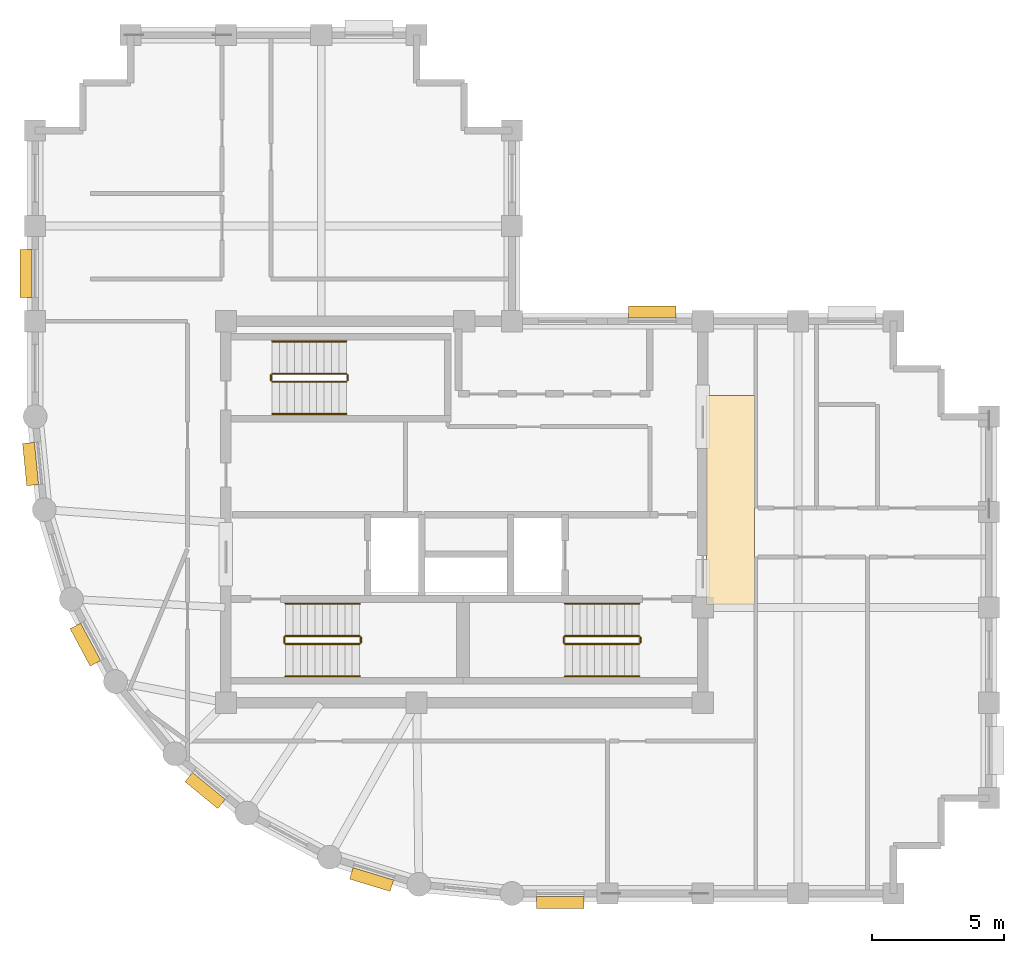
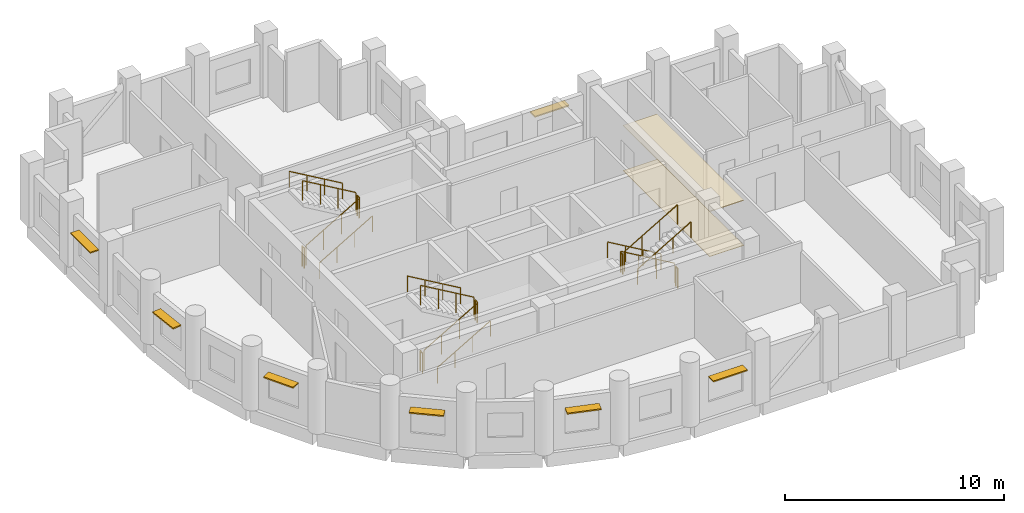
# One storey, part 6 of 7: 18 railings, 7 shading devices, 2 coverings.
"""IFC4 building model written with IfcOpenShell, lengths in metres."""

from ifc_helpers import new_model, si_unit, direction, frame, origin, origin_2d, place, context, subcontext, project, spatial, polyline, rectangle, circle, outline, extrude, material, layer, layer_set, type_object, element, save


model = new_model("IFC4")

# Units and contexts
model_context = context("Model", 3, precision=1e-05, world=origin(), true_north=direction((0.0, 1.0)))
body_context = subcontext(model_context, "Body", "Model", "MODEL_VIEW")
ifc_project = project(units=[si_unit("LENGTHUNIT", "METRE"), si_unit("AREAUNIT", "SQUARE_METRE"), si_unit("VOLUMEUNIT", "CUBIC_METRE"), si_unit("PLANEANGLEUNIT", "RADIAN"), si_unit("MASSUNIT", "GRAM", prefix="KILO")], contexts=[model_context])

# Site, building, storey
site_placement = place(None, origin())
site = spatial("IfcSite", under=ifc_project, at=site_placement, CompositionType="ELEMENT")
building_placement = place(site_placement, origin())
building = spatial("IfcBuilding", under=site, at=building_placement, Name="Solnavia Interchange Tower", CompositionType="ELEMENT")
storey_placement = place(building_placement, frame((0.0, 0.0, 259.39990234375)))
storey = spatial("IfcBuildingStorey", under=building, at=storey_placement, Name="L65", CompositionType="ELEMENT", Elevation=259.39990234375)

# Coverings
ifc_material_1 = material(Name="Perforated Mineral-Fibre & Gypsum Ceiling", Category="gypsum")
ifc_layer_1 = layer(ifc_material_1, 0.0400390625)
ifc_layer_set_1 = layer_set([ifc_layer_1], Name="Perforated Mineral-Fibre & Gypsum Ceiling")
covering_type_1 = type_object("IfcCoveringType", Name="Covering-Ceiling-Acoustic40", PredefinedType="CEILING", material=ifc_layer_set_1)
covering_1_placement = place(storey_placement, frame((0.0, 0.0, 2.5)))
element("IfcCovering", 1, at=covering_1_placement, inside=storey, type_object=covering_type_1, Name="CLG-L65-01 Circulation suspended acoustic ceiling", PredefinedType="CEILING", context=body_context, shape_type="SweptSolid", body=[
    extrude(outline(polyline([(32.550048828125, 14.5), (34.35009765625, 14.5), (34.35009765625, 22.39990234375), (32.550048828125, 22.39990234375), (32.550048828125, 14.5)])), origin(), (0.0, 0.0, 1.0), 0.0400390625),
])
ifc_material_2 = material(Name="Engineered European Oak Flooring", Category="wood")
ifc_layer_2 = layer(ifc_material_2, 0.02001953125)
ifc_layer_set_2 = layer_set([ifc_layer_2], Name="Engineered European Oak Flooring")
covering_type_2 = type_object("IfcCoveringType", Name="Covering-Flooring-Timber20", PredefinedType="FLOORING", material=ifc_layer_set_2)
covering_2_placement = place(storey_placement, origin())
element("IfcCovering", 2, at=covering_2_placement, inside=storey, type_object=covering_type_2, Name="FLR-L65-01 Circulation floor finish", PredefinedType="FLOORING", context=body_context, shape_type="SweptSolid", body=[
    extrude(outline(polyline([(32.550048828125, 14.5), (34.35009765625, 14.5), (34.35009765625, 22.39990234375), (32.550048828125, 22.39990234375), (32.550048828125, 14.5)])), origin(), (0.0, 0.0, 1.0), 0.02001953125),
])

# Railings
ifc_material_3 = material(Name="Painted Steel Balustrade", Category="steel")
railing_type_1 = type_object("IfcRailingType", Name="Railing-StairGuard-1100", PredefinedType="GUARDRAIL", material=ifc_material_3)
railing_1_placement = place(storey_placement, frame((16.64990234375, 13.02001953125, 0.163818359375)))
element("IfcRailing", 3, at=railing_1_placement, inside=storey, type_object=railing_type_1, Name="L65 ST-1 stair guard 1", PredefinedType="GUARDRAIL", context=body_context, shape_type="SweptSolid", body=[
    extrude(circle(Radius=0.02392578125, at=origin_2d()), frame((0.0, 0.0, 1.09619140625), z_axis=(0.863393664356, 0.0, 0.504530851732), x_axis=(0.0, 1.0, 0.0)), (0.0, 0.0, 1.0), 3.2431640625),
    extrude(circle(Radius=0.02099609375, at=origin_2d()), origin(), (0.0, 0.0, 1.0), 1.072021484375),
    extrude(circle(Radius=0.02099609375, at=origin_2d()), frame((0.933349609375, 0.0, 0.54541015625)), (0.0, 0.0, 1.0), 1.072021484375),
    extrude(circle(Radius=0.02099609375, at=origin_2d()), frame((1.86669921875, 0.0, 1.0908203125)), (0.0, 0.0, 1.0), 1.072021484375),
    extrude(circle(Radius=0.02099609375, at=origin_2d()), frame((2.800048828125, 0.0, 1.63623046875)), (0.0, 0.0, 1.0), 1.072021484375),
])
railing_2_placement = place(storey_placement, frame((19.5, 13.070068359375, 1.800048828125)))
element("IfcRailing", 4, at=railing_2_placement, inside=storey, type_object=railing_type_1, Name="L65 ST-1 stair guard 2", PredefinedType="GUARDRAIL", context=body_context, shape_type="SweptSolid", body=[
    extrude(circle(Radius=0.02392578125, at=origin_2d()), frame((0.0, 0.0, 1.09619140625), z_axis=(0.0, 1.0, 0.0), x_axis=(-1.0, 0.0, 0.0)), (0.0, 0.0, 1.0), 0.199951171875),
    extrude(circle(Radius=0.02099609375, at=origin_2d()), origin(), (0.0, 0.0, 1.0), 1.072021484375),
    extrude(circle(Radius=0.02099609375, at=origin_2d()), frame((0.0, 0.199951171875, 0.0)), (0.0, 0.0, 1.0), 1.072021484375),
])
railing_3_placement = place(storey_placement, frame((19.449951171875, 13.320068359375, 1.963623046875)))
element("IfcRailing", 5, at=railing_3_placement, inside=storey, type_object=railing_type_1, Name="L65 ST-1 stair guard 3", PredefinedType="GUARDRAIL", context=body_context, shape_type="SweptSolid", body=[
    extrude(circle(Radius=0.02392578125, at=origin_2d()), frame((0.0, 0.0, 1.09619140625), z_axis=(-0.863360870873, 0.0, 0.504586966384), x_axis=(0.0, -1.0, 0.0)), (0.0, 0.0, 1.0), 3.2431640625),
    extrude(circle(Radius=0.02099609375, at=origin_2d()), origin(), (0.0, 0.0, 1.0), 1.072021484375),
    extrude(circle(Radius=0.02099609375, at=origin_2d()), frame((-0.933349609375, 0.0, 0.54541015625)), (0.0, 0.0, 1.0), 1.072021484375),
    extrude(circle(Radius=0.02099609375, at=origin_2d()), frame((-1.86669921875, 0.0, 1.091064453125)), (0.0, 0.0, 1.0), 1.072021484375),
    extrude(circle(Radius=0.02099609375, at=origin_2d()), frame((-2.800048828125, 0.0, 1.636474609375)), (0.0, 0.0, 1.0), 1.072021484375),
])
railing_4_placement = place(storey_placement, frame((16.60009765625, 13.070068359375, 0.0)))
element("IfcRailing", 6, at=railing_4_placement, inside=storey, type_object=railing_type_1, Name="L65 ST-1 stair guard 4", PredefinedType="GUARDRAIL", context=body_context, shape_type="SweptSolid", body=[
    extrude(circle(Radius=0.02392578125, at=origin_2d()), frame((0.0, 0.0, 1.09619140625), z_axis=(0.0, 1.0, 0.0), x_axis=(-1.0, 0.0, 0.0)), (0.0, 0.0, 1.0), 0.199951171875),
    extrude(circle(Radius=0.02099609375, at=origin_2d()), origin(), (0.0, 0.0, 1.0), 1.072021484375),
    extrude(circle(Radius=0.02099609375, at=origin_2d()), frame((0.0, 0.199951171875, 0.0)), (0.0, 0.0, 1.0), 1.072021484375),
])
railing_5_placement = place(storey_placement, frame((30.0, 13.320068359375, 0.163818359375)))
element("IfcRailing", 7, at=railing_5_placement, inside=storey, type_object=railing_type_1, Name="L65 ST-2 stair guard 1", PredefinedType="GUARDRAIL", context=body_context, shape_type="SweptSolid", body=[
    extrude(circle(Radius=0.02392578125, at=origin_2d()), frame((0.0, 0.0, 1.09619140625), z_axis=(-0.863393664356, 0.0, 0.504530851732), x_axis=(0.0, -1.0, 0.0)), (0.0, 0.0, 1.0), 3.2431640625),
    extrude(circle(Radius=0.02099609375, at=origin_2d()), origin(), (0.0, 0.0, 1.0), 1.072021484375),
    extrude(circle(Radius=0.02099609375, at=origin_2d()), frame((-0.933349609375, 0.0, 0.54541015625)), (0.0, 0.0, 1.0), 1.072021484375),
    extrude(circle(Radius=0.02099609375, at=origin_2d()), frame((-1.86669921875, 0.0, 1.0908203125)), (0.0, 0.0, 1.0), 1.072021484375),
    extrude(circle(Radius=0.02099609375, at=origin_2d()), frame((-2.800048828125, 0.0, 1.63623046875)), (0.0, 0.0, 1.0), 1.072021484375),
])
railing_6_placement = place(storey_placement, frame((27.14990234375, 13.27001953125, 1.800048828125)))
element("IfcRailing", 8, at=railing_6_placement, inside=storey, type_object=railing_type_1, Name="L65 ST-2 stair guard 2", PredefinedType="GUARDRAIL", context=body_context, shape_type="SweptSolid", body=[
    extrude(circle(Radius=0.02392578125, at=origin_2d()), frame((0.0, 0.0, 1.09619140625), z_axis=(0.0, -1.0, 0.0), x_axis=(1.0, 0.0, 0.0)), (0.0, 0.0, 1.0), 0.199951171875),
    extrude(circle(Radius=0.02099609375, at=origin_2d()), origin(), (0.0, 0.0, 1.0), 1.072021484375),
    extrude(circle(Radius=0.02099609375, at=origin_2d()), frame((0.0, -0.199951171875, 0.0)), (0.0, 0.0, 1.0), 1.072021484375),
])
railing_7_placement = place(storey_placement, frame((27.199951171875, 13.02001953125, 1.963623046875)))
element("IfcRailing", 9, at=railing_7_placement, inside=storey, type_object=railing_type_1, Name="L65 ST-2 stair guard 3", PredefinedType="GUARDRAIL", context=body_context, shape_type="SweptSolid", body=[
    extrude(circle(Radius=0.02392578125, at=origin_2d()), frame((0.0, 0.0, 1.09619140625), z_axis=(0.863360870873, 0.0, 0.504586966384), x_axis=(0.0, 1.0, 0.0)), (0.0, 0.0, 1.0), 3.2431640625),
    extrude(circle(Radius=0.02099609375, at=origin_2d()), origin(), (0.0, 0.0, 1.0), 1.072021484375),
    extrude(circle(Radius=0.02099609375, at=origin_2d()), frame((0.933349609375, 0.0, 0.54541015625)), (0.0, 0.0, 1.0), 1.072021484375),
    extrude(circle(Radius=0.02099609375, at=origin_2d()), frame((1.86669921875, 0.0, 1.091064453125)), (0.0, 0.0, 1.0), 1.072021484375),
    extrude(circle(Radius=0.02099609375, at=origin_2d()), frame((2.800048828125, 0.0, 1.636474609375)), (0.0, 0.0, 1.0), 1.072021484375),
])
railing_8_placement = place(storey_placement, frame((30.050048828125, 13.27001953125, 0.0)))
element("IfcRailing", 10, at=railing_8_placement, inside=storey, type_object=railing_type_1, Name="L65 ST-2 stair guard 4", PredefinedType="GUARDRAIL", context=body_context, shape_type="SweptSolid", body=[
    extrude(circle(Radius=0.02392578125, at=origin_2d()), frame((0.0, 0.0, 1.09619140625), z_axis=(0.0, -1.0, 0.0), x_axis=(1.0, 0.0, 0.0)), (0.0, 0.0, 1.0), 0.199951171875),
    extrude(circle(Radius=0.02099609375, at=origin_2d()), origin(), (0.0, 0.0, 1.0), 1.072021484375),
    extrude(circle(Radius=0.02099609375, at=origin_2d()), frame((0.0, -0.199951171875, 0.0)), (0.0, 0.0, 1.0), 1.072021484375),
])
railing_9_placement = place(storey_placement, frame((16.14990234375, 22.919921875, 0.163818359375)))
element("IfcRailing", 11, at=railing_9_placement, inside=storey, type_object=railing_type_1, Name="L65 ST-3 stair guard 1", PredefinedType="GUARDRAIL", context=body_context, shape_type="SweptSolid", body=[
    extrude(circle(Radius=0.02392578125, at=origin_2d()), frame((0.0, 0.0, 1.09619140625), z_axis=(0.863393664356, 0.0, 0.504530851732), x_axis=(0.0, 1.0, 0.0)), (0.0, 0.0, 1.0), 3.2431640625),
    extrude(circle(Radius=0.02099609375, at=origin_2d()), origin(), (0.0, 0.0, 1.0), 1.072021484375),
    extrude(circle(Radius=0.02099609375, at=origin_2d()), frame((0.933349609375, 0.0, 0.54541015625)), (0.0, 0.0, 1.0), 1.072021484375),
    extrude(circle(Radius=0.02099609375, at=origin_2d()), frame((1.86669921875, 0.0, 1.0908203125)), (0.0, 0.0, 1.0), 1.072021484375),
    extrude(circle(Radius=0.02099609375, at=origin_2d()), frame((2.800048828125, 0.0, 1.63623046875)), (0.0, 0.0, 1.0), 1.072021484375),
])
railing_10_placement = place(storey_placement, frame((19.0, 22.969970703125, 1.800048828125)))
element("IfcRailing", 12, at=railing_10_placement, inside=storey, type_object=railing_type_1, Name="L65 ST-3 stair guard 2", PredefinedType="GUARDRAIL", context=body_context, shape_type="SweptSolid", body=[
    extrude(circle(Radius=0.02392578125, at=origin_2d()), frame((0.0, 0.0, 1.09619140625), z_axis=(0.0, 1.0, 0.0), x_axis=(-1.0, 0.0, 0.0)), (0.0, 0.0, 1.0), 0.199951171875),
    extrude(circle(Radius=0.02099609375, at=origin_2d()), origin(), (0.0, 0.0, 1.0), 1.072021484375),
    extrude(circle(Radius=0.02099609375, at=origin_2d()), frame((0.0, 0.199951171875, 0.0)), (0.0, 0.0, 1.0), 1.072021484375),
])
railing_11_placement = place(storey_placement, frame((18.949951171875, 23.219970703125, 1.963623046875)))
element("IfcRailing", 13, at=railing_11_placement, inside=storey, type_object=railing_type_1, Name="L65 ST-3 stair guard 3", PredefinedType="GUARDRAIL", context=body_context, shape_type="SweptSolid", body=[
    extrude(circle(Radius=0.02392578125, at=origin_2d()), frame((0.0, 0.0, 1.09619140625), z_axis=(-0.863360870873, 0.0, 0.504586966384), x_axis=(0.0, -1.0, 0.0)), (0.0, 0.0, 1.0), 3.2431640625),
    extrude(circle(Radius=0.02099609375, at=origin_2d()), origin(), (0.0, 0.0, 1.0), 1.072021484375),
    extrude(circle(Radius=0.02099609375, at=origin_2d()), frame((-0.933349609375, 0.0, 0.54541015625)), (0.0, 0.0, 1.0), 1.072021484375),
    extrude(circle(Radius=0.02099609375, at=origin_2d()), frame((-1.86669921875, 0.0, 1.091064453125)), (0.0, 0.0, 1.0), 1.072021484375),
    extrude(circle(Radius=0.02099609375, at=origin_2d()), frame((-2.800048828125, 0.0, 1.636474609375)), (0.0, 0.0, 1.0), 1.072021484375),
])
railing_12_placement = place(storey_placement, frame((16.10009765625, 22.969970703125, 0.0)))
element("IfcRailing", 14, at=railing_12_placement, inside=storey, type_object=railing_type_1, Name="L65 ST-3 stair guard 4", PredefinedType="GUARDRAIL", context=body_context, shape_type="SweptSolid", body=[
    extrude(circle(Radius=0.02392578125, at=origin_2d()), frame((0.0, 0.0, 1.09619140625), z_axis=(0.0, 1.0, 0.0), x_axis=(-1.0, 0.0, 0.0)), (0.0, 0.0, 1.0), 0.199951171875),
    extrude(circle(Radius=0.02099609375, at=origin_2d()), origin(), (0.0, 0.0, 1.0), 1.072021484375),
    extrude(circle(Radius=0.02099609375, at=origin_2d()), frame((0.0, 0.199951171875, 0.0)), (0.0, 0.0, 1.0), 1.072021484375),
])
ifc_material_4 = material(Name="Brushed Stainless Steel", Category="steel")
railing_type_2 = type_object("IfcRailingType", Name="Railing-StairHandrail-900", PredefinedType="HANDRAIL", material=ifc_material_4)
railing_13_placement = place(storey_placement, frame((16.64990234375, 11.800048828125, 0.163818359375)))
element("IfcRailing", 15, at=railing_13_placement, inside=storey, type_object=railing_type_2, Name="L65 ST-1 stair handrail 1", PredefinedType="HANDRAIL", context=body_context, shape_type="SweptSolid", body=[
    extrude(circle(Radius=0.02392578125, at=origin_2d()), frame((0.0, 0.0, 0.8759765625), z_axis=(0.863393664356, 0.0, 0.504530851732), x_axis=(0.0, 1.0, 0.0)), (0.0, 0.0, 1.0), 3.2431640625),
    extrude(circle(Radius=0.02099609375, at=origin_2d()), origin(), (0.0, 0.0, 1.0), 0.851806640625),
    extrude(circle(Radius=0.02099609375, at=origin_2d()), frame((0.933349609375, 0.0, 0.54541015625)), (0.0, 0.0, 1.0), 0.851806640625),
    extrude(circle(Radius=0.02099609375, at=origin_2d()), frame((1.86669921875, 0.0, 1.0908203125)), (0.0, 0.0, 1.0), 0.851806640625),
    extrude(circle(Radius=0.02099609375, at=origin_2d()), frame((2.800048828125, 0.0, 1.63623046875)), (0.0, 0.0, 1.0), 0.851806640625),
])
railing_14_placement = place(storey_placement, frame((19.449951171875, 14.5400390625, 1.963623046875)))
element("IfcRailing", 16, at=railing_14_placement, inside=storey, type_object=railing_type_2, Name="L65 ST-1 stair handrail 2", PredefinedType="HANDRAIL", context=body_context, shape_type="SweptSolid", body=[
    extrude(circle(Radius=0.02392578125, at=origin_2d()), frame((0.0, 0.0, 0.8759765625), z_axis=(-0.863360870873, 0.0, 0.504586966384), x_axis=(0.0, -1.0, 0.0)), (0.0, 0.0, 1.0), 3.2431640625),
    extrude(circle(Radius=0.02099609375, at=origin_2d()), origin(), (0.0, 0.0, 1.0), 0.851806640625),
    extrude(circle(Radius=0.02099609375, at=origin_2d()), frame((-0.933349609375, 0.0, 0.54541015625)), (0.0, 0.0, 1.0), 0.851806640625),
    extrude(circle(Radius=0.02099609375, at=origin_2d()), frame((-1.86669921875, 0.0, 1.091064453125)), (0.0, 0.0, 1.0), 0.851806640625),
    extrude(circle(Radius=0.02099609375, at=origin_2d()), frame((-2.800048828125, 0.0, 1.636474609375)), (0.0, 0.0, 1.0), 0.851806640625),
])
railing_15_placement = place(storey_placement, frame((30.0, 14.5400390625, 0.163818359375)))
element("IfcRailing", 17, at=railing_15_placement, inside=storey, type_object=railing_type_2, Name="L65 ST-2 stair handrail 1", PredefinedType="HANDRAIL", context=body_context, shape_type="SweptSolid", body=[
    extrude(circle(Radius=0.02392578125, at=origin_2d()), frame((0.0, 0.0, 0.8759765625), z_axis=(-0.863393664356, 0.0, 0.504530851732), x_axis=(0.0, -1.0, 0.0)), (0.0, 0.0, 1.0), 3.2431640625),
    extrude(circle(Radius=0.02099609375, at=origin_2d()), origin(), (0.0, 0.0, 1.0), 0.851806640625),
    extrude(circle(Radius=0.02099609375, at=origin_2d()), frame((-0.933349609375, 0.0, 0.54541015625)), (0.0, 0.0, 1.0), 0.851806640625),
    extrude(circle(Radius=0.02099609375, at=origin_2d()), frame((-1.86669921875, 0.0, 1.0908203125)), (0.0, 0.0, 1.0), 0.851806640625),
    extrude(circle(Radius=0.02099609375, at=origin_2d()), frame((-2.800048828125, 0.0, 1.63623046875)), (0.0, 0.0, 1.0), 0.851806640625),
])
railing_16_placement = place(storey_placement, frame((27.199951171875, 11.800048828125, 1.963623046875)))
element("IfcRailing", 18, at=railing_16_placement, inside=storey, type_object=railing_type_2, Name="L65 ST-2 stair handrail 2", PredefinedType="HANDRAIL", context=body_context, shape_type="SweptSolid", body=[
    extrude(circle(Radius=0.02392578125, at=origin_2d()), frame((0.0, 0.0, 0.8759765625), z_axis=(0.863360870873, 0.0, 0.504586966384), x_axis=(0.0, 1.0, 0.0)), (0.0, 0.0, 1.0), 3.2431640625),
    extrude(circle(Radius=0.02099609375, at=origin_2d()), origin(), (0.0, 0.0, 1.0), 0.851806640625),
    extrude(circle(Radius=0.02099609375, at=origin_2d()), frame((0.933349609375, 0.0, 0.54541015625)), (0.0, 0.0, 1.0), 0.851806640625),
    extrude(circle(Radius=0.02099609375, at=origin_2d()), frame((1.86669921875, 0.0, 1.091064453125)), (0.0, 0.0, 1.0), 0.851806640625),
    extrude(circle(Radius=0.02099609375, at=origin_2d()), frame((2.800048828125, 0.0, 1.636474609375)), (0.0, 0.0, 1.0), 0.851806640625),
])
railing_17_placement = place(storey_placement, frame((16.14990234375, 21.699951171875, 0.163818359375)))
element("IfcRailing", 19, at=railing_17_placement, inside=storey, type_object=railing_type_2, Name="L65 ST-3 stair handrail 1", PredefinedType="HANDRAIL", context=body_context, shape_type="SweptSolid", body=[
    extrude(circle(Radius=0.02392578125, at=origin_2d()), frame((0.0, 0.0, 0.8759765625), z_axis=(0.863393664356, 0.0, 0.504530851732), x_axis=(0.0, 1.0, 0.0)), (0.0, 0.0, 1.0), 3.2431640625),
    extrude(circle(Radius=0.02099609375, at=origin_2d()), origin(), (0.0, 0.0, 1.0), 0.851806640625),
    extrude(circle(Radius=0.02099609375, at=origin_2d()), frame((0.933349609375, 0.0, 0.54541015625)), (0.0, 0.0, 1.0), 0.851806640625),
    extrude(circle(Radius=0.02099609375, at=origin_2d()), frame((1.86669921875, 0.0, 1.0908203125)), (0.0, 0.0, 1.0), 0.851806640625),
    extrude(circle(Radius=0.02099609375, at=origin_2d()), frame((2.800048828125, 0.0, 1.63623046875)), (0.0, 0.0, 1.0), 0.851806640625),
])
railing_18_placement = place(storey_placement, frame((18.949951171875, 24.43994140625, 1.963623046875)))
element("IfcRailing", 20, at=railing_18_placement, inside=storey, type_object=railing_type_2, Name="L65 ST-3 stair handrail 2", PredefinedType="HANDRAIL", context=body_context, shape_type="SweptSolid", body=[
    extrude(circle(Radius=0.02392578125, at=origin_2d()), frame((0.0, 0.0, 0.8759765625), z_axis=(-0.863360870873, 0.0, 0.504586966384), x_axis=(0.0, -1.0, 0.0)), (0.0, 0.0, 1.0), 3.2431640625),
    extrude(circle(Radius=0.02099609375, at=origin_2d()), origin(), (0.0, 0.0, 1.0), 0.851806640625),
    extrude(circle(Radius=0.02099609375, at=origin_2d()), frame((-0.933349609375, 0.0, 0.54541015625)), (0.0, 0.0, 1.0), 0.851806640625),
    extrude(circle(Radius=0.02099609375, at=origin_2d()), frame((-1.86669921875, 0.0, 1.091064453125)), (0.0, 0.0, 1.0), 0.851806640625),
    extrude(circle(Radius=0.02099609375, at=origin_2d()), frame((-2.800048828125, 0.0, 1.636474609375)), (0.0, 0.0, 1.0), 0.851806640625),
])

# Shading devices
ifc_material_5 = material(Name="Anodised Aluminium Sunshade", Category="aluminium")
ifc_layer_3 = layer(ifc_material_5, 0.070068359375)
ifc_layer_set_3 = layer_set([ifc_layer_3], Name="Anodised Aluminium Sunshade")
shading_device_type = type_object("IfcShadingDeviceType", Name="Sunshade-Band-450", PredefinedType="JALOUSIE", material=ifc_layer_set_3)
for number, where, z_axis, x_axis, name in (
    (21, (27.02490234375, 3.2548828125, 2.22509765625), (0.0, 0.0, 1.0), (-1.0, 0.0, 0.0), "SHD-L65-01 Horizontal sunshade band"),
    (22, (30.4951171875, 25.544921875, 2.22509765625), (0.0, 0.0, 1.0), (1.0, 0.0, 0.0), "SHD-L65-19 Horizontal sunshade band"),
    (23, (6.85498046875, 27.0, 2.22509765625), (0.0, 0.0, 1.0), (0.0, 1.0, 0.0), "SHD-L65-35 Horizontal sunshade band"),
):
    element("IfcShadingDevice", number, at=place(storey_placement, frame(where, z_axis=z_axis, x_axis=x_axis)), inside=storey, type_object=shading_device_type, Name=name, PredefinedType="JALOUSIE", context=body_context, shape_type="SweptSolid", body=[
        extrude(rectangle(XDim=1.800048828125, YDim=0.449951171875, at=origin_2d()), origin(), (0.0, 0.0, 1.0), 0.070068359375),
    ])
for number, where, z_axis, x_axis, name in (
    (24, (7.029541015625, 19.810791015625, 2.22509765625), (0.0, 0.0, 1.0), (-0.098103986207, 0.995176169274, 0.0), "SHD-L65-37 Horizontal sunshade band"),
    (25, (9.097900390625, 12.992919921875, 2.22509765625), (0.0, 0.0, 1.0), (-0.47147369718, 0.881880123865, 0.0), "SHD-L65-39 Horizontal sunshade band"),
    (26, (13.617431640625, 7.486083984375, 2.22509765625), (0.0, 0.0, 1.0), (-0.773176510644, 0.634190888762, 0.0), "SHD-L65-41 Horizontal sunshade band"),
    (27, (19.89990234375, 4.1279296875, 2.22509765625), (0.0, 0.0, 1.0), (-0.956965664205, 0.290201167351, 0.0), "SHD-L65-43 Horizontal sunshade band"),
):
    element("IfcShadingDevice", number, at=place(storey_placement, frame(where, z_axis=z_axis, x_axis=x_axis)), inside=storey, type_object=shading_device_type, Name=name, PredefinedType="JALOUSIE", context=body_context, shape_type="SweptSolid", body=[
        extrude(rectangle(XDim=1.60009765625, YDim=0.449951171875, at=origin_2d()), origin(), (0.0, 0.0, 1.0), 0.070068359375),
    ])

save(model, "model.ifc")
